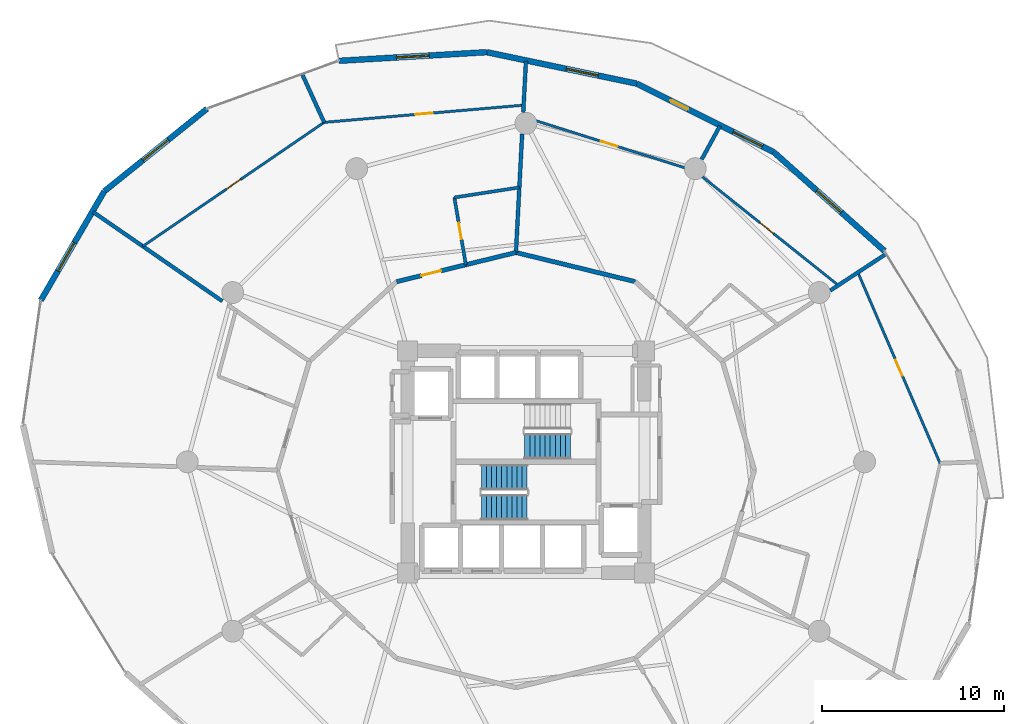
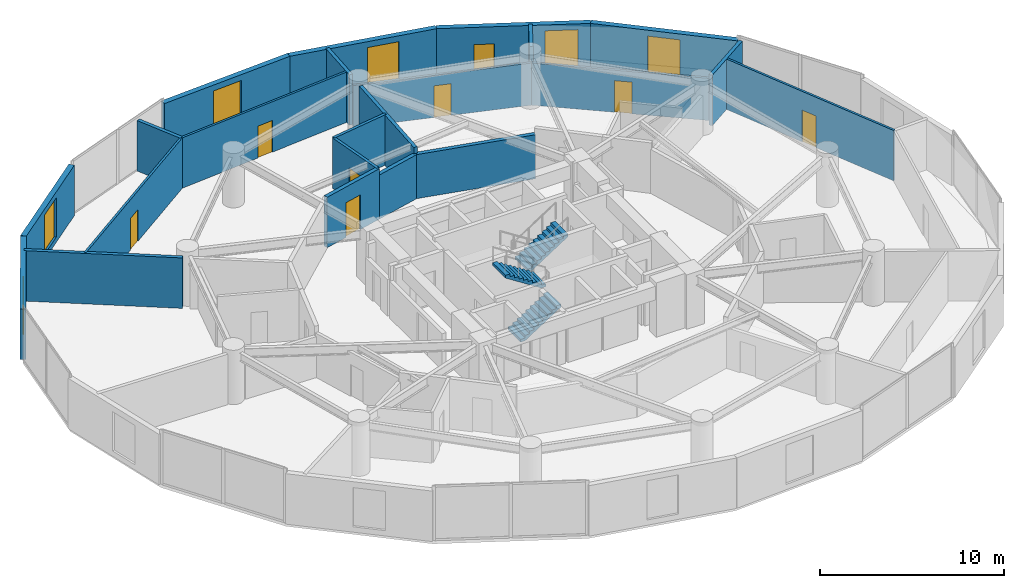
# One storey, part 23 of 26: 22 walls, 8 doors, 6 windows, 3 stair flights, 14 openings, 2 elements without a shape of their own.
"""IFC4 building model written with IfcOpenShell, lengths in metres."""

from ifc_helpers import new_model, si_unit, direction, frame, frame_2d, origin, place, context, subcontext, project, spatial, polyline, rectangle, outline, extrude, material, layer, layer_set, type_object, element, fill, aggregate, save


model = new_model("IFC4")

# Units and contexts
model_context = context("Model", 3, precision=1e-05, world=origin(), true_north=direction((0.0, 1.0)))
body_context = subcontext(model_context, "Body", "Model", "MODEL_VIEW")
ifc_project = project(units=[si_unit("LENGTHUNIT", "METRE"), si_unit("AREAUNIT", "SQUARE_METRE"), si_unit("VOLUMEUNIT", "CUBIC_METRE"), si_unit("PLANEANGLEUNIT", "RADIAN"), si_unit("MASSUNIT", "GRAM", prefix="KILO")], contexts=[model_context])

# Site, building, storey
site_placement = place(None, origin())
site = spatial("IfcSite", under=ifc_project, at=site_placement, CompositionType="ELEMENT")
building_placement = place(site_placement, origin())
building = spatial("IfcBuilding", under=site, at=building_placement, Name="Solvirekh Grand Hotel", CompositionType="ELEMENT")
storey_placement = place(building_placement, frame((0.0, 0.0, 71.60009765625)))
storey = spatial("IfcBuildingStorey", under=building, at=storey_placement, Name="L17", CompositionType="ELEMENT", Elevation=71.60009765625)

# Wall, opening, window
ifc_material_1 = material(Name="Precast concrete C45/55", Category="concrete")
ifc_layer_1 = layer(ifc_material_1, 0.320068359375)
ifc_layer_set_1 = layer_set([ifc_layer_1], Name="Precast concrete C45/55")
wall_type_1 = type_object("IfcWallType", Name="ExtLobbyWall_RC320", PredefinedType="SOLIDWALL", material=ifc_layer_set_1)
wall_1_placement = place(storey_placement, frame((13.610107421875, 17.01611328125, 0.0), z_axis=(0.0, 0.0, 1.0), x_axis=(0.746077425908, -0.665859200245, 0.0)))
wall_1 = element("IfcWall", 1, at=wall_1_placement, inside=storey, type_object=wall_type_1, Name="L17 exterior structural wall chord 4", PredefinedType="SOLIDWALL", context=body_context, shape_type="SweptSolid", body=[
    extrude(rectangle(XDim=8.150390625, YDim=0.320068359375, at=frame_2d((4.0751953125, 0.0))), origin(), (0.0, 0.0, 1.0), 3.33984375),
])
opening_1_placement = place(wall_1_placement, frame((3.175048828125, 0.0, 0.35009765625)))
opening_1 = element("IfcOpeningElement", 2, at=opening_1_placement, cuts=wall_1, Name="Opening W02", PredefinedType="OPENING", context=body_context, shape_type="SweptSolid", body=[
    extrude(rectangle(XDim=1.800048828125, YDim=2.60009765625, at=frame_2d((0.89990234375, 1.300048828125))), frame((0.0, 0.169921875, 0.0), z_axis=(0.0, -1.0, 0.0), x_axis=(1.0, 0.0, 0.0)), (0.0, 0.0, 1.0), 0.340087890625),
])
ifc_material_2 = material(Name="Low-E Tinted Bronze Laminated Glass", Category="aluminium")
window_type = type_object("IfcWindowType", Name="Win_LobbyExt_1800X2600", PartitioningType="SINGLE_PANEL", PredefinedType="WINDOW", material=ifc_material_2)
window_1_placement = place(opening_1_placement, origin())
window_1 = element("IfcWindow", 3, at=window_1_placement, inside=storey, type_object=window_type, Name="L17 panoramic bronze-framed window 4", OverallHeight=2.60009765625, OverallWidth=1.800048828125, PartitioningType="SINGLE_PANEL", PredefinedType="WINDOW", context=body_context, shape_type="SweptSolid", body=[
    extrude(rectangle(XDim=1.800048828125, YDim=2.60009765625, at=frame_2d((0.89990234375, 1.300048828125))), frame((0.0, 0.030029296875, 0.0), z_axis=(0.0, -1.0, 0.0), x_axis=(1.0, 0.0, 0.0)), (0.0, 0.0, 1.0), 0.06005859375),
])
fill(opening_1, window_1)

# Wall, openings, door, window
wall_2_placement = place(storey_placement, frame((6.0849609375, 20.77587890625, 0.0), z_axis=(0.0, 0.0, 1.0), x_axis=(0.894560654667, -0.446946568532, 0.0)))
wall_2 = element("IfcWall", 4, at=wall_2_placement, inside=storey, type_object=wall_type_1, Name="L17 exterior structural wall chord 5", PredefinedType="SOLIDWALL", context=body_context, shape_type="SweptSolid", body=[
    extrude(rectangle(XDim=8.412109375, YDim=0.320068359375, at=frame_2d((4.2060546875, 0.0))), origin(), (0.0, 0.0, 1.0), 3.33984375),
])
opening_2_placement = place(wall_2_placement, frame((5.9189453125, 0.0, 0.35009765625)))
opening_2 = element("IfcOpeningElement", 5, at=opening_2_placement, cuts=wall_2, Name="Opening W02", PredefinedType="OPENING", context=body_context, shape_type="SweptSolid", body=[
    extrude(rectangle(XDim=1.800048828125, YDim=2.60009765625, at=frame_2d((0.89990234375, 1.300048828125))), frame((0.0, 0.169921875, 0.0), z_axis=(0.0, -1.0, 0.0), x_axis=(1.0, 0.0, 0.0)), (0.0, 0.0, 1.0), 0.340087890625),
])
opening_3_placement = place(wall_2_placement, frame((2.06298828125, 0.0, 0.0)))
opening_3 = element("IfcOpeningElement", 6, at=opening_3_placement, cuts=wall_2, Name="Opening D03", PredefinedType="OPENING", context=body_context, shape_type="SweptSolid", body=[
    extrude(rectangle(XDim=1.10009765625, YDim=2.199951171875, at=frame_2d((0.550048828125, 1.10009765625))), frame((0.0, 0.169921875, 0.0), z_axis=(0.0, -1.0, 0.0), x_axis=(1.0, 0.0, 0.0)), (0.0, 0.0, 1.0), 0.340087890625),
])
ifc_material_3 = material(Name="Anodized Bronze Aluminium 6063-T6", Category="aluminium")
door_type_1 = type_object("IfcDoorType", Name="Door_ExtBalcony_1100X2200", OperationType="NOTDEFINED", PredefinedType="DOOR", material=ifc_material_3)
door_1_placement = place(opening_3_placement, origin())
door_1 = element("IfcDoor", 7, at=door_1_placement, inside=storey, type_object=door_type_1, Name="L17 Crescent balcony glazed door (5)", OperationType="SINGLE_SWING_LEFT", OverallHeight=2.199951171875, OverallWidth=1.10009765625, PredefinedType="DOOR", context=body_context, shape_type="SweptSolid", body=[
    extrude(rectangle(XDim=1.10009765625, YDim=2.199951171875, at=frame_2d((0.550048828125, 1.10009765625))), frame((0.0, 0.02490234375, 0.0), z_axis=(0.0, -1.0, 0.0), x_axis=(1.0, 0.0, 0.0)), (0.0, 0.0, 1.0), 0.050048828125),
])
fill(opening_3, door_1)
window_2_placement = place(opening_2_placement, origin())
window_2 = element("IfcWindow", 8, at=window_2_placement, inside=storey, type_object=window_type, Name="L17 exterior side window 5", OverallHeight=2.60009765625, OverallWidth=1.800048828125, PartitioningType="SINGLE_PANEL", PredefinedType="WINDOW", context=body_context, shape_type="SweptSolid", body=[
    extrude(rectangle(XDim=1.800048828125, YDim=2.60009765625, at=frame_2d((0.89990234375, 1.300048828125))), frame((0.0, 0.030029296875, 0.0), z_axis=(0.0, -1.0, 0.0), x_axis=(1.0, 0.0, 0.0)), (0.0, 0.0, 1.0), 0.06005859375),
])
fill(opening_2, window_2)

# Wall, opening, window
wall_3_placement = place(storey_placement, frame((-2.14794921875, 22.5029296875, 0.0), z_axis=(0.0, 0.0, 1.0), x_axis=(0.978697953962, -0.205305418609, 0.0)))
wall_3 = element("IfcWall", 9, at=wall_3_placement, inside=storey, type_object=wall_type_1, Name="L17 exterior structural wall chord 6", PredefinedType="SOLIDWALL", context=body_context, shape_type="SweptSolid", body=[
    extrude(rectangle(XDim=8.412109375, YDim=0.320068359375, at=frame_2d((4.2060546875, 0.0))), origin(), (0.0, 0.0, 1.0), 3.33984375),
])
opening_4_placement = place(wall_3_placement, frame((4.4580078125, 0.0, 0.35009765625)))
opening_4 = element("IfcOpeningElement", 10, at=opening_4_placement, cuts=wall_3, Name="Opening W02", PredefinedType="OPENING", context=body_context, shape_type="SweptSolid", body=[
    extrude(rectangle(XDim=1.800048828125, YDim=2.60009765625, at=frame_2d((0.89990234375, 1.300048828125))), frame((0.0, 0.169921875, 0.0), z_axis=(0.0, -1.0, 0.0), x_axis=(1.0, 0.0, 0.0)), (0.0, 0.0, 1.0), 0.340087890625),
])
window_3_placement = place(opening_4_placement, origin())
window_3 = element("IfcWindow", 11, at=window_3_placement, inside=storey, type_object=window_type, Name="L17 panoramic bronze-framed window 6", OverallHeight=2.60009765625, OverallWidth=1.800048828125, PartitioningType="SINGLE_PANEL", PredefinedType="WINDOW", context=body_context, shape_type="SweptSolid", body=[
    extrude(rectangle(XDim=1.800048828125, YDim=2.60009765625, at=frame_2d((0.89990234375, 1.300048828125))), frame((0.0, 0.030029296875, 0.0), z_axis=(0.0, -1.0, 0.0), x_axis=(1.0, 0.0, 0.0)), (0.0, 0.0, 1.0), 0.06005859375),
])
fill(opening_4, window_3)

wall_4_placement = place(storey_placement, frame((-10.283935546875, 22.028076171875, 0.0), z_axis=(0.0, 0.0, 1.0), x_axis=(0.998301126335, 0.058265437081, 0.0)))
wall_4 = element("IfcWall", 12, at=wall_4_placement, inside=storey, type_object=wall_type_1, Name="L17 exterior structural wall chord 7", PredefinedType="SOLIDWALL", context=body_context, shape_type="SweptSolid", body=[
    extrude(rectangle(XDim=8.14990234375, YDim=0.320068359375, at=frame_2d((4.074951171875, 0.0))), origin(), (0.0, 0.0, 1.0), 3.33984375),
])
opening_5_placement = place(wall_4_placement, frame((3.175048828125, 0.0, 0.35009765625)))
opening_5 = element("IfcOpeningElement", 13, at=opening_5_placement, cuts=wall_4, Name="Opening W02", PredefinedType="OPENING", context=body_context, shape_type="SweptSolid", body=[
    extrude(rectangle(XDim=1.800048828125, YDim=2.60009765625, at=frame_2d((0.89990234375, 1.300048828125))), frame((0.0, 0.169921875, 0.0), z_axis=(0.0, -1.0, 0.0), x_axis=(1.0, 0.0, 0.0)), (0.0, 0.0, 1.0), 0.340087890625),
])
window_4_placement = place(opening_5_placement, origin())
window_4 = element("IfcWindow", 14, at=window_4_placement, inside=storey, type_object=window_type, Name="L17 panoramic bronze-framed window 7", OverallHeight=2.60009765625, OverallWidth=1.800048828125, PartitioningType="SINGLE_PANEL", PredefinedType="WINDOW", context=body_context, shape_type="SweptSolid", body=[
    extrude(rectangle(XDim=1.800048828125, YDim=2.60009765625, at=frame_2d((0.89990234375, 1.300048828125))), frame((0.0, 0.030029296875, 0.0), z_axis=(0.0, -1.0, 0.0), x_axis=(1.0, 0.0, 0.0)), (0.0, 0.0, 1.0), 0.06005859375),
])
fill(opening_5, window_4)

wall_5_placement = place(storey_placement, frame((-23.1640625, 14.864990234375, 0.0), z_axis=(0.0, 0.0, 1.0), x_axis=(0.779487156213, 0.626418209585, 0.0)))
wall_5 = element("IfcWall", 15, at=wall_5_placement, inside=storey, type_object=wall_type_1, Name="L17 exterior structural wall chord 9", PredefinedType="SOLIDWALL", context=body_context, shape_type="SweptSolid", body=[
    extrude(rectangle(XDim=7.233154296875, YDim=0.320068359375, at=frame_2d((3.61669921875, 0.0))), origin(), (0.0, 0.0, 1.0), 3.33984375),
])
opening_6_placement = place(wall_5_placement, frame((2.717041015625, 0.0, 0.35009765625)))
opening_6 = element("IfcOpeningElement", 16, at=opening_6_placement, cuts=wall_5, Name="Opening W02", PredefinedType="OPENING", context=body_context, shape_type="SweptSolid", body=[
    extrude(rectangle(XDim=1.800048828125, YDim=2.60009765625, at=frame_2d((0.89990234375, 1.300048828125))), frame((0.0, 0.169921875, 0.0), z_axis=(0.0, -1.0, 0.0), x_axis=(1.0, 0.0, 0.0)), (0.0, 0.0, 1.0), 0.340087890625),
])
window_5_placement = place(opening_6_placement, origin())
window_5 = element("IfcWindow", 17, at=window_5_placement, inside=storey, type_object=window_type, Name="L17 panoramic bronze-framed window 9", OverallHeight=2.60009765625, OverallWidth=1.800048828125, PartitioningType="SINGLE_PANEL", PredefinedType="WINDOW", context=body_context, shape_type="SweptSolid", body=[
    extrude(rectangle(XDim=1.800048828125, YDim=2.60009765625, at=frame_2d((0.89990234375, 1.300048828125))), frame((0.0, 0.030029296875, 0.0), z_axis=(0.0, -1.0, 0.0), x_axis=(1.0, 0.0, 0.0)), (0.0, 0.0, 1.0), 0.06005859375),
])
fill(opening_6, window_5)

wall_6_placement = place(storey_placement, frame((-26.64794921875, 8.87890625, 0.0), z_axis=(0.0, 0.0, 1.0), x_axis=(0.503009446837, 0.864280912894, 0.0)))
wall_6 = element("IfcWall", 18, at=wall_6_placement, inside=storey, type_object=wall_type_1, Name="L17 exterior structural wall chord 10", PredefinedType="SOLIDWALL", context=body_context, shape_type="SweptSolid", body=[
    extrude(rectangle(XDim=6.926025390625, YDim=0.320068359375, at=frame_2d((3.462890625, 0.0))), origin(), (0.0, 0.0, 1.0), 3.33984375),
])
opening_7_placement = place(wall_6_placement, frame((1.866943359375, 0.0, 0.35009765625)))
opening_7 = element("IfcOpeningElement", 19, at=opening_7_placement, cuts=wall_6, Name="Opening W02", PredefinedType="OPENING", context=body_context, shape_type="SweptSolid", body=[
    extrude(rectangle(XDim=1.800048828125, YDim=2.60009765625, at=frame_2d((0.89990234375, 1.300048828125))), frame((0.0, 0.169921875, 0.0), z_axis=(0.0, -1.0, 0.0), x_axis=(1.0, 0.0, 0.0)), (0.0, 0.0, 1.0), 0.340087890625),
])
window_6_placement = place(opening_7_placement, origin())
window_6 = element("IfcWindow", 20, at=window_6_placement, inside=storey, type_object=window_type, Name="L17 panoramic bronze-framed window 10", OverallHeight=2.60009765625, OverallWidth=1.800048828125, PartitioningType="SINGLE_PANEL", PredefinedType="WINDOW", context=body_context, shape_type="SweptSolid", body=[
    extrude(rectangle(XDim=1.800048828125, YDim=2.60009765625, at=frame_2d((0.89990234375, 1.300048828125))), frame((0.0, 0.030029296875, 0.0), z_axis=(0.0, -1.0, 0.0), x_axis=(1.0, 0.0, 0.0)), (0.0, 0.0, 1.0), 0.06005859375),
])
fill(opening_7, window_6)

# Walls
ifc_material_4 = material(Name="Acoustic Gypsum Partition Assembly")
ifc_layer_2 = layer(ifc_material_4, 0.239990234375)
ifc_layer_set_2 = layer_set([ifc_layer_2], Name="Acoustic Gypsum Partition Assembly")
wall_type_2 = type_object("IfcWallType", Name="Part_Corridor_240", PredefinedType="PARTITIONING", material=ifc_layer_set_2)
wall_7_placement = place(storey_placement, frame((6.0, 9.89892578125, 0.0), z_axis=(0.0, 0.0, 1.0), x_axis=(-0.971400676792, 0.237446257348, 0.0)))
element("IfcWall", 21, at=wall_7_placement, inside=storey, type_object=wall_type_2, Name="L17 Executive Suite 1903 Living Room corridor wall 1", PredefinedType="PARTITIONING", context=body_context, shape_type="SweptSolid", body=[
    extrude(rectangle(XDim=6.742919921875, YDim=0.239990234375, at=frame_2d((3.37158203125, 0.0))), origin(), (0.0, 0.0, 1.0), 2.9169921875),
])
wall_8_placement = place(storey_placement, frame((-0.550048828125, 11.5, 0.0), z_axis=(0.0, 0.0, 1.0), x_axis=(-0.971426839663, -0.237339198579, 0.0)))
element("IfcWall", 22, at=wall_8_placement, inside=storey, type_object=wall_type_2, Name="L17 En-suite Bathroom 1904 corridor backing wall", PredefinedType="PARTITIONING", context=body_context, shape_type="SweptSolid", body=[
    extrude(rectangle(XDim=2.831787109375, YDim=0.239990234375, at=frame_2d((1.416015625, 0.0))), origin(), (0.0, 0.0, 1.0), 2.9169921875),
])

# Wall, opening, door
wall_9_placement = place(storey_placement, frame((-3.301025390625, 10.827880859375, 0.0), z_axis=(0.0, 0.0, 1.0), x_axis=(-0.971381725301, -0.237523775128, 0.0)))
wall_9 = element("IfcWall", 23, at=wall_9_placement, inside=storey, type_object=wall_type_2, Name="L17 Executive Suite 1904 Living Room entrance wall", PredefinedType="PARTITIONING", context=body_context, shape_type="SweptSolid", body=[
    extrude(rectangle(XDim=3.910888671875, YDim=0.239990234375, at=frame_2d((1.95556640625, 0.0))), origin(), (0.0, 0.0, 1.0), 3.33984375),
])
opening_8_placement = place(wall_9_placement, frame((1.405029296875, 0.0, 0.0)))
opening_8 = element("IfcOpeningElement", 24, at=opening_8_placement, cuts=wall_9, Name="Opening D08", PredefinedType="OPENING", context=body_context, shape_type="SweptSolid", body=[
    extrude(rectangle(XDim=1.10009765625, YDim=2.300048828125, at=frame_2d((0.550048828125, 1.14990234375))), frame((0.0, 0.1298828125, 0.0), z_axis=(0.0, -1.0, 0.0), x_axis=(1.0, 0.0, 0.0)), (0.0, 0.0, 1.0), 0.260009765625),
])
ifc_material_5 = material(Name="Fire-Rated Steel Door Assembly", Category="steel")
door_type_2 = type_object("IfcDoorType", Name="Door_SuiteEntry_1100X2300", OperationType="NOTDEFINED", PredefinedType="DOOR", material=ifc_material_5)
door_2_placement = place(opening_8_placement, origin())
door_2 = element("IfcDoor", 25, at=door_2_placement, inside=storey, type_object=door_type_2, Name="L17 Executive Suite 1904 Living Room entrance door", OperationType="SINGLE_SWING_LEFT", OverallHeight=2.300048828125, OverallWidth=1.10009765625, PredefinedType="DOOR", context=body_context, shape_type="SweptSolid", body=[
    extrude(rectangle(XDim=1.10009765625, YDim=2.300048828125, at=frame_2d((0.550048828125, 1.14990234375))), frame((0.0, 0.02490234375, 0.0), z_axis=(0.0, -1.0, 0.0), x_axis=(1.0, 0.0, 0.0)), (0.0, 0.0, 1.0), 0.050048828125),
])
fill(opening_8, door_2)

ifc_layer_3 = layer(ifc_material_4, 0.135009765625)
ifc_layer_set_3 = layer_set([ifc_layer_3], Name="Acoustic Gypsum Partition Assembly")
wall_type_3 = type_object("IfcWallType", Name="Part_RoomInt_135", PredefinedType="PARTITIONING", material=ifc_layer_set_3)
wall_10_placement = place(storey_placement, frame((22.7470703125, -0.076904296875, 0.0), z_axis=(0.0, 0.0, 1.0), x_axis=(-0.395508976522, 0.918462111081, 0.0)))
wall_10 = element("IfcWall", 26, at=wall_10_placement, inside=storey, type_object=wall_type_3, Name="L17 Executive Suite 1902 Panorama Suite Study bedroom screen wall", PredefinedType="PARTITIONING", context=body_context, shape_type="SweptSolid", body=[
    extrude(rectangle(XDim=11.41357421875, YDim=0.135009765625, at=frame_2d((5.706787109375, 0.0))), origin(), (0.0, 0.0, 1.0), 3.33984375),
])
opening_9_placement = place(wall_10_placement, frame((5.23193359375, 0.0, 0.0)))
opening_9 = element("IfcOpeningElement", 27, at=opening_9_placement, cuts=wall_10, Name="Opening D10", PredefinedType="OPENING", context=body_context, shape_type="SweptSolid", body=[
    extrude(rectangle(XDim=0.949951171875, YDim=2.10009765625, at=frame_2d((0.47509765625, 1.050048828125))), frame((0.0, 0.07763671875, 0.0), z_axis=(0.0, -1.0, 0.0), x_axis=(1.0, 0.0, 0.0)), (0.0, 0.0, 1.0), 0.155029296875),
])
door_type_3 = type_object("IfcDoorType", Name="Door_RoomInt_950X2100", OperationType="NOTDEFINED", PredefinedType="DOOR", material=ifc_material_3)
door_3_placement = place(opening_9_placement, origin())
door_3 = element("IfcDoor", 28, at=door_3_placement, inside=storey, type_object=door_type_3, Name="L17 Executive Suite 1902 Panorama Suite Study master bedroom door", OperationType="SINGLE_SWING_LEFT", OverallHeight=2.10009765625, OverallWidth=0.949951171875, PredefinedType="DOOR", context=body_context, shape_type="SweptSolid", body=[
    extrude(rectangle(XDim=0.949951171875, YDim=2.10009765625, at=frame_2d((0.47509765625, 1.050048828125))), frame((0.0, 0.02490234375, 0.0), z_axis=(0.0, -1.0, 0.0), x_axis=(1.0, 0.0, 0.0)), (0.0, 0.0, 1.0), 0.050048828125),
])
fill(opening_9, door_3)

wall_11_placement = place(storey_placement, frame((17.156982421875, 9.700927734375, 0.0), z_axis=(0.0, 0.0, 1.0), x_axis=(-0.78155569477, 0.623835471878, 0.0)))
wall_11 = element("IfcWall", 29, at=wall_11_placement, inside=storey, type_object=wall_type_3, Name="L17 Executive Suite 1903 Living Room bedroom screen wall", PredefinedType="PARTITIONING", context=body_context, shape_type="SweptSolid", body=[
    extrude(rectangle(XDim=10.049072265625, YDim=0.135009765625, at=frame_2d((5.0244140625, 0.0))), origin(), (0.0, 0.0, 1.0), 2.79296875),
])
opening_10_placement = place(wall_11_placement, frame((4.550048828125, 0.0, 0.0)))
opening_10 = element("IfcOpeningElement", 30, at=opening_10_placement, cuts=wall_11, Name="Opening D10", PredefinedType="OPENING", context=body_context, shape_type="SweptSolid", body=[
    extrude(rectangle(XDim=0.949951171875, YDim=2.10009765625, at=frame_2d((0.47509765625, 1.050048828125))), frame((0.0, 0.07763671875, 0.0), z_axis=(0.0, -1.0, 0.0), x_axis=(1.0, 0.0, 0.0)), (0.0, 0.0, 1.0), 0.155029296875),
])
door_4_placement = place(opening_10_placement, origin())
door_4 = element("IfcDoor", 31, at=door_4_placement, inside=storey, type_object=door_type_3, Name="L17 Executive Suite 1903 Living Room master bedroom door", OperationType="SINGLE_SWING_RIGHT", OverallHeight=2.10009765625, OverallWidth=0.949951171875, PredefinedType="DOOR", context=body_context, shape_type="SweptSolid", body=[
    extrude(rectangle(XDim=0.949951171875, YDim=2.10009765625, at=frame_2d((0.47509765625, 1.050048828125))), frame((0.0, 0.02490234375, 0.0), z_axis=(0.0, -1.0, 0.0), x_axis=(1.0, 0.0, 0.0)), (0.0, 0.0, 1.0), 0.050048828125),
])
fill(opening_10, door_4)

wall_12_placement = place(storey_placement, frame((9.302978515625, 15.969970703125, 0.0), z_axis=(0.0, 0.0, 1.0), x_axis=(-0.953412993278, 0.301668135953, 0.0)))
wall_12 = element("IfcWall", 32, at=wall_12_placement, inside=storey, type_object=wall_type_3, Name="L17 Executive Suite 1903 Panorama Suite Study bedroom screen wall", PredefinedType="PARTITIONING", context=body_context, shape_type="SweptSolid", body=[
    extrude(rectangle(XDim=9.92529296875, YDim=0.135009765625, at=frame_2d((4.962646484375, 0.0))), origin(), (0.0, 0.0, 1.0), 2.79296875),
])
opening_11_placement = place(wall_12_placement, frame((4.488037109375, 0.0, 0.0)))
opening_11 = element("IfcOpeningElement", 33, at=opening_11_placement, cuts=wall_12, Name="Opening D10", PredefinedType="OPENING", context=body_context, shape_type="SweptSolid", body=[
    extrude(rectangle(XDim=0.949951171875, YDim=2.10009765625, at=frame_2d((0.47509765625, 1.050048828125))), frame((0.0, 0.07763671875, 0.0), z_axis=(0.0, -1.0, 0.0), x_axis=(1.0, 0.0, 0.0)), (0.0, 0.0, 1.0), 0.155029296875),
])
door_5_placement = place(opening_11_placement, origin())
door_5 = element("IfcDoor", 34, at=door_5_placement, inside=storey, type_object=door_type_3, Name="L17 Executive Suite 1903 Panorama Suite Study master bedroom door", OperationType="SINGLE_SWING_LEFT", OverallHeight=2.10009765625, OverallWidth=0.949951171875, PredefinedType="DOOR", context=body_context, shape_type="SweptSolid", body=[
    extrude(rectangle(XDim=0.949951171875, YDim=2.10009765625, at=frame_2d((0.47509765625, 1.050048828125))), frame((0.0, 0.02490234375, 0.0), z_axis=(0.0, -1.0, 0.0), x_axis=(1.0, 0.0, 0.0)), (0.0, 0.0, 1.0), 0.050048828125),
])
fill(opening_11, door_5)

wall_13_placement = place(storey_placement, frame((-0.126953125, 19.593994140625, 0.0), z_axis=(0.0, 0.0, 1.0), x_axis=(-0.99630221434, -0.085917970765, 0.0)))
wall_13 = element("IfcWall", 35, at=wall_13_placement, inside=storey, type_object=wall_type_3, Name="L17 Executive Suite 1904 Living Room bedroom screen wall", PredefinedType="PARTITIONING", context=body_context, shape_type="SweptSolid", body=[
    extrude(rectangle(XDim=10.999755859375, YDim=0.135009765625, at=frame_2d((5.5, 0.0))), origin(), (0.0, 0.0, 1.0), 3.33984375),
])
opening_12_placement = place(wall_13_placement, frame((5.02490234375, 0.0, 0.0)))
opening_12 = element("IfcOpeningElement", 36, at=opening_12_placement, cuts=wall_13, Name="Opening D10", PredefinedType="OPENING", context=body_context, shape_type="SweptSolid", body=[
    extrude(rectangle(XDim=0.949951171875, YDim=2.10009765625, at=frame_2d((0.47509765625, 1.050048828125))), frame((0.0, 0.07763671875, 0.0), z_axis=(0.0, -1.0, 0.0), x_axis=(1.0, 0.0, 0.0)), (0.0, 0.0, 1.0), 0.155029296875),
])
door_6_placement = place(opening_12_placement, origin())
door_6 = element("IfcDoor", 37, at=door_6_placement, inside=storey, type_object=door_type_3, Name="L17 Executive Suite 1904 Living Room master bedroom door", OperationType="SINGLE_SWING_RIGHT", OverallHeight=2.10009765625, OverallWidth=0.949951171875, PredefinedType="DOOR", context=body_context, shape_type="SweptSolid", body=[
    extrude(rectangle(XDim=0.949951171875, YDim=2.10009765625, at=frame_2d((0.47509765625, 1.050048828125))), frame((0.0, 0.02490234375, 0.0), z_axis=(0.0, -1.0, 0.0), x_axis=(1.0, 0.0, 0.0)), (0.0, 0.0, 1.0), 0.050048828125),
])
fill(opening_12, door_6)

wall_14_placement = place(storey_placement, frame((-11.0859375, 18.64892578125, 0.0), z_axis=(0.0, 0.0, 1.0), x_axis=(-0.825609445558, -0.564242007834, 0.0)))
wall_14 = element("IfcWall", 38, at=wall_14_placement, inside=storey, type_object=wall_type_3, Name="L17 Executive Suite 1904 Panorama Suite Study bedroom screen wall", PredefinedType="PARTITIONING", context=body_context, shape_type="SweptSolid", body=[
    extrude(rectangle(XDim=12.063720703125, YDim=0.135009765625, at=frame_2d((6.03173828125, 0.0))), origin(), (0.0, 0.0, 1.0), 3.33984375),
])
opening_13_placement = place(wall_14_placement, frame((5.556884765625, 0.0, 0.0)))
opening_13 = element("IfcOpeningElement", 39, at=opening_13_placement, cuts=wall_14, Name="Opening D10", PredefinedType="OPENING", context=body_context, shape_type="SweptSolid", body=[
    extrude(rectangle(XDim=0.949951171875, YDim=2.10009765625, at=frame_2d((0.47509765625, 1.050048828125))), frame((0.0, 0.07763671875, 0.0), z_axis=(0.0, -1.0, 0.0), x_axis=(1.0, 0.0, 0.0)), (0.0, 0.0, 1.0), 0.155029296875),
])
door_7_placement = place(opening_13_placement, origin())
door_7 = element("IfcDoor", 40, at=door_7_placement, inside=storey, type_object=door_type_3, Name="L17 Executive Suite 1904 Panorama Suite Study master bedroom door", OperationType="SINGLE_SWING_LEFT", OverallHeight=2.10009765625, OverallWidth=0.949951171875, PredefinedType="DOOR", context=body_context, shape_type="SweptSolid", body=[
    extrude(rectangle(XDim=0.949951171875, YDim=2.10009765625, at=frame_2d((0.47509765625, 1.050048828125))), frame((0.0, 0.02490234375, 0.0), z_axis=(0.0, -1.0, 0.0), x_axis=(1.0, 0.0, 0.0)), (0.0, 0.0, 1.0), 0.050048828125),
])
fill(opening_13, door_7)

# Walls
ifc_layer_4 = layer(ifc_material_4, 0.2099609375)
ifc_layer_set_4 = layer_set([ifc_layer_4], Name="Acoustic Gypsum Partition Assembly")
wall_type_4 = type_object("IfcWallType", Name="Part_SuiteDemise_210", PredefinedType="PARTITIONING", material=ifc_layer_set_4)
wall_15_placement = place(storey_placement, frame((16.718017578125, 9.412109375, 0.0), z_axis=(0.0, 0.0, 1.0), x_axis=(0.836028649588, 0.548685790838, 0.0)))
element("IfcWall", 41, at=wall_15_placement, inside=storey, type_object=wall_type_4, Name="L17 suite radial wall 2 (B)", PredefinedType="PARTITIONING", context=body_context, shape_type="SweptSolid", body=[
    extrude(rectangle(XDim=3.634033203125, YDim=0.2099609375, at=frame_2d((1.81689453125, 0.0))), origin(), (0.0, 0.0, 1.0), 3.33984375),
])
wall_16_placement = place(storey_placement, frame((-0.550048828125, 11.5, 0.0), z_axis=(0.0, 0.0, 1.0), x_axis=(0.052270148933, 0.998632981395, 0.0)))
element("IfcWall", 42, at=wall_16_placement, inside=storey, type_object=wall_type_4, Name="L17 suite radial wall 4 (A)", PredefinedType="PARTITIONING", context=body_context, shape_type="SweptSolid", body=[
    extrude(rectangle(XDim=6.525146484375, YDim=0.2099609375, at=frame_2d((3.2626953125, 0.0))), origin(), (0.0, 0.0, 1.0), 3.33984375),
])
wall_17_placement = place(storey_placement, frame((-0.14697265625, 19.201904296875, 0.0), z_axis=(0.0, 0.0, 1.0), x_axis=(0.052230954764, 0.998635032114, 0.0)))
element("IfcWall", 43, at=wall_17_placement, inside=storey, type_object=wall_type_4, Name="L17 suite radial wall 4 (B)", PredefinedType="PARTITIONING", context=body_context, shape_type="SweptSolid", body=[
    extrude(rectangle(XDim=2.81396484375, YDim=0.2099609375, at=frame_2d((1.406982421875, 0.0))), origin(), (0.0, 0.0, 1.0), 3.33984375),
])
wall_18_placement = place(storey_placement, frame((-16.677978515625, 8.826904296875, 0.0), z_axis=(0.0, 0.0, 1.0), x_axis=(-0.822952332907, 0.568110427437, 0.0)))
element("IfcWall", 44, at=wall_18_placement, inside=storey, type_object=wall_type_4, Name="L17 suite radial wall 6 (B)", PredefinedType="PARTITIONING", context=body_context, shape_type="SweptSolid", body=[
    extrude(rectangle(XDim=8.628662109375, YDim=0.2099609375, at=frame_2d((4.314453125, 0.0))), origin(), (0.0, 0.0, 1.0), 3.33984375),
])
wall_19_placement = place(storey_placement, frame((9.655029296875, 16.615966796875, 0.0), z_axis=(0.0, 0.0, 1.0), x_axis=(0.477835310057, 0.878449438763, 0.0)))
element("IfcWall", 45, at=wall_19_placement, inside=storey, type_object=wall_type_4, Name="L17 Executive Suite 1903 Living Room dividing partition 1 (A)", PredefinedType="PARTITIONING", context=body_context, shape_type="SweptSolid", body=[
    extrude(rectangle(XDim=2.086669921875, YDim=0.2099609375, at=frame_2d((1.04345703125, 0.0))), origin(), (0.0, 0.0, 1.0), 3.33984375),
])
wall_20_placement = place(storey_placement, frame((-11.0859375, 18.64892578125, 0.0), z_axis=(0.0, 0.0, 1.0), x_axis=(-0.414437075806, 0.910077969296, 0.0)))
element("IfcWall", 46, at=wall_20_placement, inside=storey, type_object=wall_type_4, Name="L17 Executive Suite 1904 Living Room dividing partition 1", PredefinedType="PARTITIONING", context=body_context, shape_type="SweptSolid", body=[
    extrude(rectangle(XDim=2.871337890625, YDim=0.2099609375, at=frame_2d((1.435546875, 0.0))), origin(), (0.0, 0.0, 1.0), 3.33984375),
])
ifc_layer_5 = layer(ifc_material_4, 0.175048828125)
ifc_layer_set_5 = layer_set([ifc_layer_5], Name="Acoustic Gypsum Partition Assembly")
wall_type_5 = type_object("IfcWallType", Name="Plumb_Ensuite_175", PredefinedType="PLUMBINGWALL", material=ifc_layer_set_5)
wall_21_placement = place(storey_placement, frame((-0.363037109375, 15.073974609375, 0.0), z_axis=(0.0, 0.0, 1.0), x_axis=(-0.988289486539, -0.152590598654, 0.0)))
element("IfcWall", 47, at=wall_21_placement, inside=storey, type_object=wall_type_5, Name="L17 En-suite Bathroom 1904 outer plumbing wall", PredefinedType="PLUMBINGWALL", context=body_context, shape_type="SweptSolid", body=[
    extrude(rectangle(XDim=3.611083984375, YDim=0.175048828125, at=frame_2d((1.8056640625, 0.0))), origin(), (0.0, 0.0, 1.0), 3.33984375),
])

# Wall, opening, door
wall_22_placement = place(storey_placement, frame((-3.301025390625, 10.827880859375, 0.0), z_axis=(0.0, 0.0, 1.0), x_axis=(-0.168294919358, 0.985736689039, 0.0)))
wall_22 = element("IfcWall", 48, at=wall_22_placement, inside=storey, type_object=wall_type_5, Name="L17 En-suite Bathroom 1904 entry plumbing wall", PredefinedType="PLUMBINGWALL", context=body_context, shape_type="SweptSolid", body=[
    extrude(rectangle(XDim=3.74853515625, YDim=0.175048828125, at=frame_2d((1.874267578125, 0.0))), origin(), (0.0, 0.0, 1.0), 3.33984375),
])
opening_14_placement = place(wall_22_placement, frame((1.424072265625, 0.0, 0.0)))
opening_14 = element("IfcOpeningElement", 49, at=opening_14_placement, cuts=wall_22, Name="Opening D09", PredefinedType="OPENING", context=body_context, shape_type="SweptSolid", body=[
    extrude(rectangle(XDim=0.89990234375, YDim=2.10009765625, at=frame_2d((0.449951171875, 1.050048828125))), frame((0.0, 0.09765625, 0.0), z_axis=(0.0, -1.0, 0.0), x_axis=(1.0, 0.0, 0.0)), (0.0, 0.0, 1.0), 0.195068359375),
])
door_type_4 = type_object("IfcDoorType", Name="Door_Ensuite_900X2100", OperationType="NOTDEFINED", PredefinedType="DOOR", material=ifc_material_3)
door_8_placement = place(opening_14_placement, origin())
door_8 = element("IfcDoor", 50, at=door_8_placement, inside=storey, type_object=door_type_4, Name="L17 En-suite Bathroom 1904 door", OperationType="SINGLE_SWING_RIGHT", OverallHeight=2.10009765625, OverallWidth=0.89990234375, PredefinedType="DOOR", context=body_context, shape_type="SweptSolid", body=[
    extrude(rectangle(XDim=0.89990234375, YDim=2.10009765625, at=frame_2d((0.449951171875, 1.050048828125))), frame((0.0, 0.02490234375, 0.0), z_axis=(0.0, -1.0, 0.0), x_axis=(1.0, 0.0, 0.0)), (0.0, 0.0, 1.0), 0.050048828125),
])
fill(opening_14, door_8)

# Stair, stair flights
ifc_material_6 = material(Name="Concrete C40/50", Category="concrete")
stair_type = type_object("IfcStairType", Name="Stair_Core_1450", PredefinedType="HALF_TURN_STAIR", material=ifc_material_6)
stair_1_placement = place(storey_placement, origin())
stair_1 = element("IfcStair", 51, at=stair_1_placement, inside=storey, type_object=stair_type, Name="L17 Enclosed exit stair ST-1", PredefinedType="HALF_TURN_STAIR")
stair_flight_type = type_object("IfcStairFlightType", Name="Flight_Core_1450", PredefinedType="STRAIGHT", material=ifc_material_6)
stair_flight_1_placement = place(storey_placement, frame((-2.449951171875, -2.5, 0.0), z_axis=(0.0, 0.0, 1.0), x_axis=(1.0, 0.0, 0.0)))
stair_flight_1 = element("IfcStairFlight", 52, at=stair_flight_1_placement, type_object=stair_flight_type, Name="ST-1 flight 1", NumberOfRisers=10, NumberOfTreads=9, PredefinedType="STRAIGHT", RiserHeight=0.18, TreadLength=0.28, context=body_context, shape_type="SweptSolid", body=[
    extrude(outline(polyline([(0.0, 0.0), (0.0, 0.179931640625), (0.280029296875, 0.179931640625), (0.280029296875, 0.360107421875), (0.56005859375, 0.360107421875), (0.56005859375, 0.5400390625), (0.840087890625, 0.5400390625), (0.840087890625, 0.719970703125), (1.1201171875, 0.719970703125), (1.1201171875, 0.89990234375), (1.39990234375, 0.89990234375), (1.39990234375, 1.080078125), (1.679931640625, 1.080078125), (1.679931640625, 1.260009765625), (1.9599609375, 1.260009765625), (1.9599609375, 1.43994140625), (2.239990234375, 1.43994140625), (2.239990234375, 1.6201171875), (2.52001953125, 1.6201171875), (2.52001953125, 1.800048828125), (2.52001953125, 1.44189453125), (0.277099609375, 0.0), (0.0, 0.0)])), frame((0.0, 0.699951171875, 0.0), z_axis=(0.0, -1.0, 0.0), x_axis=(1.0, 0.0, 0.0)), (0.0, 0.0, 1.0), 1.39990234375),
])
stair_flight_2_placement = place(storey_placement, frame((0.070068359375, -0.85009765625, 1.7998046875), z_axis=(0.0, 0.0, 1.0), x_axis=(-1.0, 0.0, 0.0)))
stair_flight_2 = element("IfcStairFlight", 53, at=stair_flight_2_placement, type_object=stair_flight_type, Name="ST-1 flight 2", NumberOfRisers=10, NumberOfTreads=9, PredefinedType="STRAIGHT", RiserHeight=0.18, TreadLength=0.28, context=body_context, shape_type="SweptSolid", body=[
    extrude(outline(polyline([(0.0, 0.0), (0.0, 0.179931640625), (0.280029296875, 0.179931640625), (0.280029296875, 0.360107421875), (0.56005859375, 0.360107421875), (0.56005859375, 0.5400390625), (0.840087890625, 0.5400390625), (0.840087890625, 0.719970703125), (1.1201171875, 0.719970703125), (1.1201171875, 0.89990234375), (1.39990234375, 0.89990234375), (1.39990234375, 1.080078125), (1.679931640625, 1.080078125), (1.679931640625, 1.260009765625), (1.9599609375, 1.260009765625), (1.9599609375, 1.43994140625), (2.239990234375, 1.43994140625), (2.239990234375, 1.6201171875), (2.52001953125, 1.6201171875), (2.52001953125, 1.800048828125), (2.52001953125, 1.44189453125), (0.277099609375, 0.0), (0.0, 0.0)])), frame((0.0, 0.699951171875, 0.0), z_axis=(0.0, -1.0, 0.0), x_axis=(1.0, 0.0, 0.0)), (0.0, 0.0, 1.0), 1.39990234375),
])
aggregate(stair_1, [stair_flight_1, stair_flight_2])

# Stair, stair flight
stair_2_placement = place(storey_placement, origin())
stair_2 = element("IfcStair", 54, at=stair_2_placement, inside=storey, type_object=stair_type, Name="L17 Enclosed exit stair ST-2", PredefinedType="HALF_TURN_STAIR")
stair_flight_3_placement = place(storey_placement, frame((-0.070068359375, 0.85009765625, 1.7998046875), z_axis=(0.0, 0.0, 1.0), x_axis=(1.0, 0.0, 0.0)))
stair_flight_3 = element("IfcStairFlight", 55, at=stair_flight_3_placement, type_object=stair_flight_type, Name="ST-2 flight 2", NumberOfRisers=10, NumberOfTreads=9, PredefinedType="STRAIGHT", RiserHeight=0.18, TreadLength=0.28, context=body_context, shape_type="SweptSolid", body=[
    extrude(outline(polyline([(0.0, 0.0), (0.0, 0.179931640625), (0.280029296875, 0.179931640625), (0.280029296875, 0.360107421875), (0.56005859375, 0.360107421875), (0.56005859375, 0.5400390625), (0.840087890625, 0.5400390625), (0.840087890625, 0.719970703125), (1.1201171875, 0.719970703125), (1.1201171875, 0.89990234375), (1.39990234375, 0.89990234375), (1.39990234375, 1.080078125), (1.679931640625, 1.080078125), (1.679931640625, 1.260009765625), (1.9599609375, 1.260009765625), (1.9599609375, 1.43994140625), (2.239990234375, 1.43994140625), (2.239990234375, 1.6201171875), (2.52001953125, 1.6201171875), (2.52001953125, 1.800048828125), (2.52001953125, 1.44189453125), (0.277099609375, 0.0), (0.0, 0.0)])), frame((0.0, 0.699951171875, 0.0), z_axis=(0.0, -1.0, 0.0), x_axis=(1.0, 0.0, 0.0)), (0.0, 0.0, 1.0), 1.39990234375),
])
aggregate(stair_2, [stair_flight_3])

save(model, "model.ifc")
